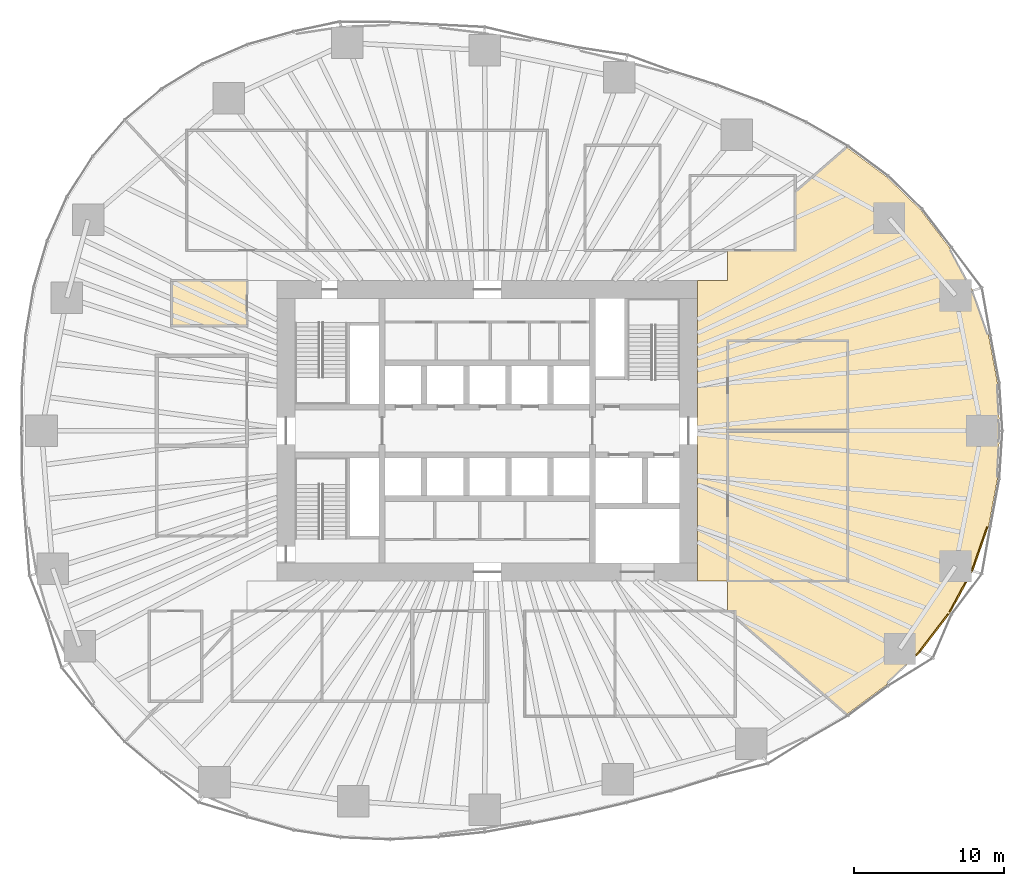
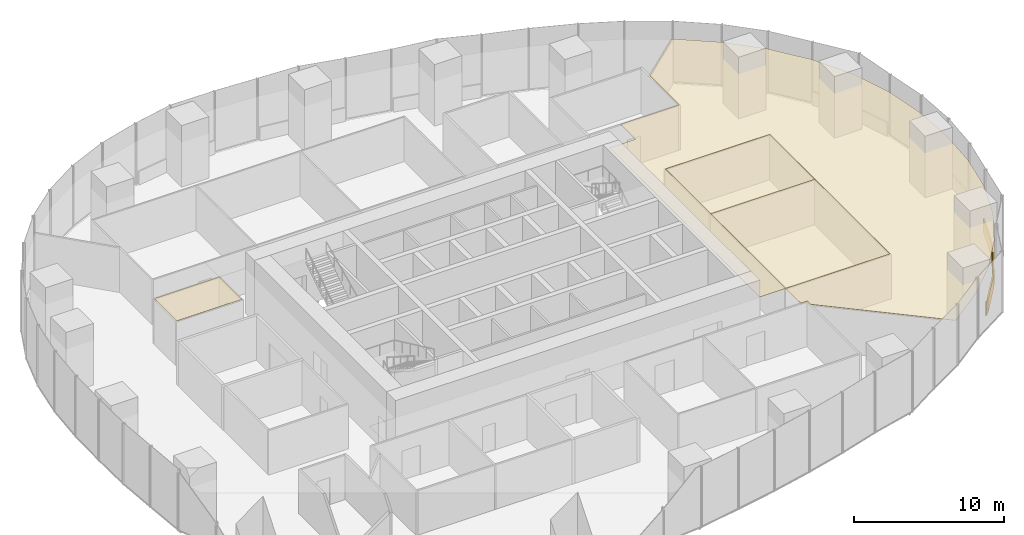
# One storey, part 18 of 20: 8 coverings.
"""IFC4 building model written with IfcOpenShell, lengths in metres."""

from ifc_helpers import new_model, si_unit, direction, frame, origin, origin_2d, place, context, subcontext, project, spatial, polyline, rectangle, outline, extrude, material, layer, layer_set, type_object, element, save


model = new_model("IFC4")

# Units and contexts
model_context = context("Model", 3, precision=1e-05, world=origin(), true_north=direction((0.0, 1.0)))
body_context = subcontext(model_context, "Body", "Model", "MODEL_VIEW")
ifc_project = project(units=[si_unit("LENGTHUNIT", "METRE"), si_unit("AREAUNIT", "SQUARE_METRE"), si_unit("VOLUMEUNIT", "CUBIC_METRE"), si_unit("PLANEANGLEUNIT", "RADIAN"), si_unit("MASSUNIT", "GRAM", prefix="KILO")], contexts=[model_context])

# Site, building, storey
site_placement = place(None, origin())
site = spatial("IfcSite", under=ifc_project, at=site_placement, CompositionType="ELEMENT")
building_placement = place(site_placement, origin())
building = spatial("IfcBuilding", under=site, at=building_placement, Name="Ghaith Harvest Tower", CompositionType="ELEMENT")
storey_placement = place(building_placement, frame((0.0, 0.0, 30.0)))
storey = spatial("IfcBuildingStorey", under=building, at=storey_placement, Name="L06", CompositionType="ELEMENT", Elevation=30.0)

# Coverings
ifc_material_1 = material(Name="Mineral fibre ceiling tile", Category="gypsum")
ifc_layer_1 = layer(ifc_material_1, 0.02490234375)
ifc_layer_set_1 = layer_set([ifc_layer_1], Name="CEILING C2")
covering_type_1 = type_object("IfcCoveringType", Name="CEILING C2", PredefinedType="CEILING", material=ifc_layer_set_1)
covering_1_placement = place(storey_placement, frame((0.0, 0.0, 3.60009765625)))
element("IfcCovering", 1, at=covering_1_placement, inside=storey, type_object=covering_type_1, Name="Ceiling L06-05", PredefinedType="CEILING", context=body_context, shape_type="SweptSolid", body=[
    extrude(outline(polyline([(16.0, -10.0), (24.0, -10.0), (24.0, 0.0), (16.0, 0.0), (16.0, -10.0)])), origin(), (0.0, 0.0, 1.0), 0.02490234375),
])
covering_2_placement = place(storey_placement, frame((0.0, 0.0, 3.60009765625)))
element("IfcCovering", 2, at=covering_2_placement, inside=storey, type_object=covering_type_1, Name="Ceiling L06-06", PredefinedType="CEILING", context=body_context, shape_type="SweptSolid", body=[
    extrude(outline(polyline([(16.0, 0.0), (24.0, 0.0), (24.0, 6.0), (16.0, 6.0), (16.0, 0.0)])), origin(), (0.0, 0.0, 1.0), 0.02490234375),
])
covering_3_placement = place(storey_placement, frame((0.0, 0.0, 3.60009765625)))
element("IfcCovering", 3, at=covering_3_placement, inside=storey, type_object=covering_type_1, Name="Ceiling L06-16", PredefinedType="CEILING", context=body_context, shape_type="SweptSolid", body=[
    extrude(outline(polyline([(-21.0, 7.0), (-16.0, 7.0), (-16.0, 10.0), (-21.0, 10.0), (-21.0, 7.0)])), origin(), (0.0, 0.0, 1.0), 0.02490234375),
])
covering_4_placement = place(storey_placement, frame((0.0, 0.0, 3.60009765625)))
element("IfcCovering", 4, at=covering_4_placement, inside=storey, type_object=covering_type_1, Name="Ceiling L06-E1", PredefinedType="CEILING", context=body_context, shape_type="SweptSolid", body=[
    extrude(outline(polyline([(28.840087890625, 14.708984375), (30.78515625, 12.1708984375), (32.318359375, 9.3408203125), (33.37158203125, 6.333984375), (33.95849609375, 3.194091796875), (34.125, 0.0), (33.95849609375, -3.194091796875), (33.37158203125, -6.333984375), (32.318359375, -9.3408203125), (30.78515625, -12.1708984375), (28.840087890625, -14.708984375), (26.572509765625, -16.9111328125), (23.92431640625, -18.873046875), (16.5, -12.43359375), (16.5, -12.0), (16.0, -12.0), (16.0, -10.010009765625), (24.010009765625, -10.010009765625), (24.010009765625, 6.010009765625), (15.989990234375, 6.010009765625), (15.989990234375, -10.0), (14.0, -10.0), (14.0, 10.0), (16.0, 10.0), (16.0, 12.0), (20.5, 12.0), (20.5, 15.903076171875), (23.92431640625, 18.873046875), (26.572509765625, 16.9111328125), (28.840087890625, 14.708984375)])), origin(), (0.0, 0.0, 1.0), 0.02490234375),
])
ifc_material_2 = material(Name="Insulated aluminium spandrel panel on steel framing", Category="steel")
ifc_layer_2 = layer(ifc_material_2, 0.10009765625)
ifc_layer_set_2 = layer_set([ifc_layer_2], Name="SLAB EDGE UPSTAND 1100x100")
covering_type_2 = type_object("IfcCoveringType", Name="SLAB EDGE UPSTAND 1100x100", PredefinedType="CLADDING", material=ifc_layer_set_2)
covering_5_placement = place(storey_placement, frame((28.674560546875, -14.800048828125, 0.0), z_axis=(0.0, 0.0, 1.0), x_axis=(0.717386427289, 0.69667547247, 0.0)))
element("IfcCovering", 5, at=covering_5_placement, inside=storey, type_object=covering_type_2, Name="Slab edge upstand 1 bay 19 L06", PredefinedType="CLADDING", context=body_context, shape_type="SweptSolid", body=[
    extrude(rectangle(XDim=0.364501953125, YDim=0.10009765625, at=origin_2d()), origin(), (0.0, 0.0, 1.0), 1.10009765625),
])
covering_6_placement = place(storey_placement, frame((29.74267578125, -13.44921875, 0.0), z_axis=(0.0, 0.0, 1.0), x_axis=(0.608255123652, 0.7937415855, 0.0)))
element("IfcCovering", 6, at=covering_6_placement, inside=storey, type_object=covering_type_2, Name="Slab edge upstand 2 bay 19 L06", PredefinedType="CLADDING", context=body_context, shape_type="SweptSolid", body=[
    extrude(rectangle(XDim=3.09765625, YDim=0.10009765625, at=origin_2d()), origin(), (0.0, 0.0, 1.0), 1.10009765625),
])
covering_7_placement = place(storey_placement, frame((31.32177734375, -11.075439453125, 0.0), z_axis=(0.0, 0.0, 1.0), x_axis=(0.4763492928, 0.879256135178, 0.0)))
element("IfcCovering", 7, at=covering_7_placement, inside=storey, type_object=covering_type_2, Name="Slab edge upstand 3 bay 19 L06", PredefinedType="CLADDING", context=body_context, shape_type="SweptSolid", body=[
    extrude(rectangle(XDim=2.237548828125, YDim=0.10009765625, at=origin_2d()), origin(), (0.0, 0.0, 1.0), 1.10009765625),
])
covering_8_placement = place(storey_placement, frame((32.7822265625, -7.865234375, 0.0), z_axis=(0.0, 0.0, 1.0), x_axis=(0.330597697302, 0.943771774604, 0.0)))
element("IfcCovering", 8, at=covering_8_placement, inside=storey, type_object=covering_type_2, Name="Slab edge upstand 1 bay 20 L06", PredefinedType="CLADDING", context=body_context, shape_type="SweptSolid", body=[
    extrude(rectangle(XDim=3.080078125, YDim=0.10009765625, at=origin_2d()), origin(), (0.0, 0.0, 1.0), 1.10009765625),
])

save(model, "model.ifc")
